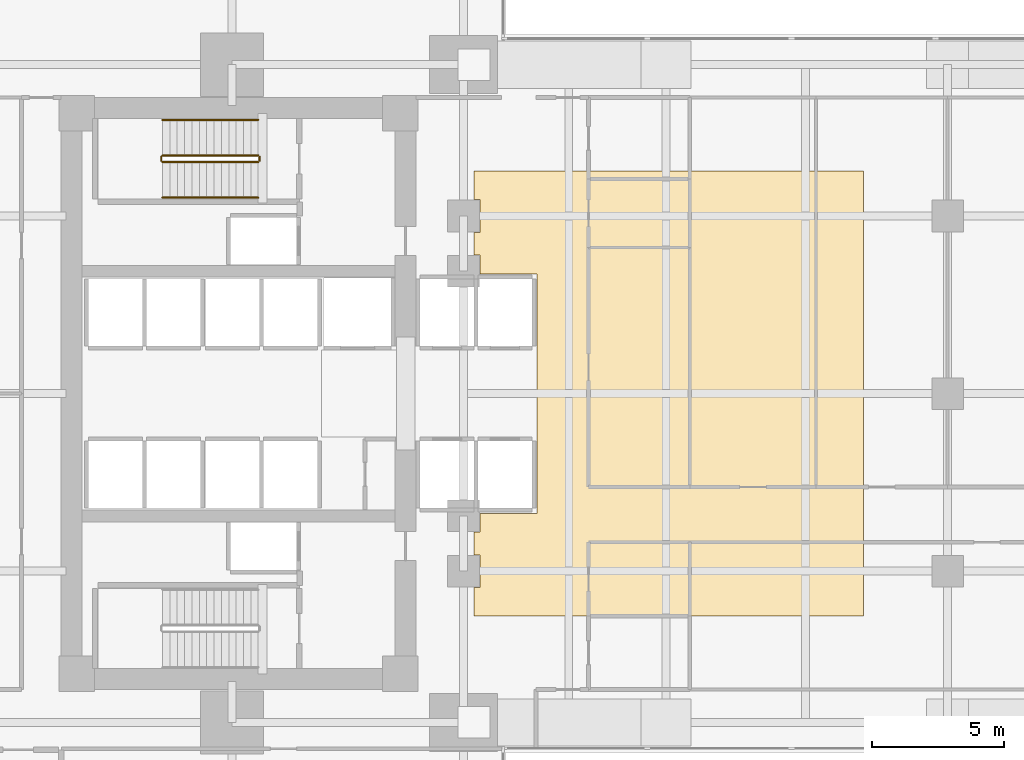
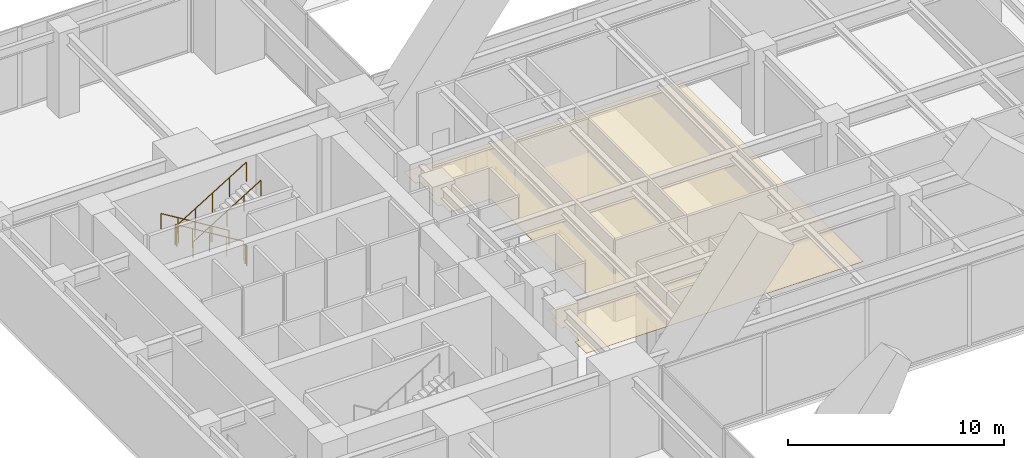
# One storey, part 13 of 13: 6 railings, 1 covering.
"""IFC4 building model written with IfcOpenShell, lengths in metres."""

from ifc_helpers import new_model, si_unit, direction, frame, origin, origin_2d, place, context, subcontext, project, spatial, polyline, circle, outline, extrude, material, layer, layer_set, type_object, element, save


model = new_model("IFC4")

# Units and contexts
model_context = context("Model", 3, precision=1e-05, world=origin(), true_north=direction((0.0, 1.0)))
body_context = subcontext(model_context, "Body", "Model", "MODEL_VIEW")
ifc_project = project(units=[si_unit("LENGTHUNIT", "METRE"), si_unit("AREAUNIT", "SQUARE_METRE"), si_unit("VOLUMEUNIT", "CUBIC_METRE"), si_unit("PLANEANGLEUNIT", "RADIAN"), si_unit("MASSUNIT", "GRAM", prefix="KILO")], contexts=[model_context])

# Site, building, storey
site_placement = place(None, origin())
site = spatial("IfcSite", under=ifc_project, at=site_placement, CompositionType="ELEMENT")
building_placement = place(site_placement, origin())
building = spatial("IfcBuilding", under=site, at=building_placement, Name="Kinhvarn Gate Tower", CompositionType="ELEMENT")
storey_placement = place(building_placement, frame((0.0, 0.0, 6.0)))
storey = spatial("IfcBuildingStorey", under=building, at=storey_placement, Name="L01", CompositionType="ELEMENT", Elevation=6.0)

# Covering
ifc_material_1 = material(Name="Mineral-fibre acoustic ceiling tile")
ifc_layer = layer(ifc_material_1, 0.02001953125)
ifc_layer_set = layer_set([ifc_layer], Name="Mineral-fibre acoustic ceiling tile")
covering_type = type_object("IfcCoveringType", Name="COV-CEIL-20", PredefinedType="CEILING", material=ifc_layer_set)
covering_placement = place(storey_placement, frame((0.0, 0.0, 2.64990234375)))
element("IfcCovering", 1, at=covering_placement, inside=storey, type_object=covering_type, Name="Suspended Acoustic Ceiling Tile (L01-1)", PredefinedType="CEILING", context=body_context, shape_type="SweptSolid", body=[
    extrude(outline(polyline([(35.0, 33.699951171875), (35.0, 16.800048828125), (20.199951171875, 16.800048828125), (20.199951171875, 17.8798828125), (20.419921875, 17.8798828125), (20.419921875, 19.1201171875), (20.199951171875, 19.1201171875), (20.199951171875, 19.97998046875), (20.419921875, 19.97998046875), (20.419921875, 20.699951171875), (22.60009765625, 20.699951171875), (22.60009765625, 29.800048828125), (20.419921875, 29.800048828125), (20.419921875, 30.52001953125), (20.199951171875, 30.52001953125), (20.199951171875, 31.3798828125), (20.419921875, 31.3798828125), (20.419921875, 32.6201171875), (20.199951171875, 32.6201171875), (20.199951171875, 33.699951171875), (35.0, 33.699951171875)])), origin(), (0.0, 0.0, 1.0), 0.02001953125),
])

# Railings
ifc_material_2 = material(Name="Steel S355", Category="steel")
railing_type_1 = type_object("IfcRailingType", Name="RL-ST-GRD", PredefinedType="BALUSTRADE", material=ifc_material_2)
railing_1_placement = place(storey_placement, frame((12.0, 34.300048828125, 0.17138671875)))
element("IfcRailing", 2, at=railing_1_placement, inside=storey, type_object=railing_type_1, Name="L01 ST2 stair guard 1", PredefinedType="BALUSTRADE", context=body_context, shape_type="SweptSolid", body=[
    extrude(circle(Radius=0.02392578125, at=origin_2d()), frame((0.0, 0.0, 1.076171875), z_axis=(-0.852850264322, 0.0, 0.5221555579), x_axis=(0.0, -1.0, 0.0)), (0.0, 0.0, 1.0), 4.267822265625),
    extrude(circle(Radius=0.02099609375, at=origin_2d()), origin(), (0.0, 0.0, 1.0), 1.052001953125),
    extrude(circle(Radius=0.02099609375, at=origin_2d()), frame((-0.909912109375, 0.0, 0.55712890625)), (0.0, 0.0, 1.0), 1.052001953125),
    extrude(circle(Radius=0.02099609375, at=origin_2d()), frame((-1.81982421875, 0.0, 1.1142578125)), (0.0, 0.0, 1.0), 1.052001953125),
    extrude(circle(Radius=0.02099609375, at=origin_2d()), frame((-2.72998046875, 0.0, 1.67138671875)), (0.0, 0.0, 1.0), 1.052001953125),
    extrude(circle(Radius=0.02099609375, at=origin_2d()), frame((-3.639892578125, 0.0, 2.228515625)), (0.0, 0.0, 1.0), 1.052001953125),
])
railing_2_placement = place(storey_placement, frame((8.31005859375, 34.25, 2.39990234375)))
element("IfcRailing", 3, at=railing_2_placement, inside=storey, type_object=railing_type_1, Name="L01 ST2 stair guard 2", PredefinedType="BALUSTRADE", context=body_context, shape_type="SweptSolid", body=[
    extrude(circle(Radius=0.02392578125, at=origin_2d()), frame((0.0, 0.0, 1.076171875), z_axis=(0.0, -1.0, 0.0), x_axis=(1.0, 0.0, 0.0)), (0.0, 0.0, 1.0), 0.14990234375),
    extrude(circle(Radius=0.02099609375, at=origin_2d()), origin(), (0.0, 0.0, 1.0), 1.052001953125),
    extrude(circle(Radius=0.02099609375, at=origin_2d()), frame((0.0, -0.14990234375, 0.0)), (0.0, 0.0, 1.0), 1.052001953125),
])
railing_3_placement = place(storey_placement, frame((8.360107421875, 34.050048828125, 2.571533203125)))
element("IfcRailing", 4, at=railing_3_placement, inside=storey, type_object=railing_type_1, Name="L01 ST2 stair guard 3", PredefinedType="BALUSTRADE", context=body_context, shape_type="SweptSolid", body=[
    extrude(circle(Radius=0.02392578125, at=origin_2d()), frame((0.0, 0.0, 1.076171875), z_axis=(0.852850264322, 0.0, 0.5221555579), x_axis=(0.0, 1.0, 0.0)), (0.0, 0.0, 1.0), 4.267822265625),
    extrude(circle(Radius=0.02099609375, at=origin_2d()), origin(), (0.0, 0.0, 1.0), 1.052001953125),
    extrude(circle(Radius=0.02099609375, at=origin_2d()), frame((0.909912109375, 0.0, 0.55712890625)), (0.0, 0.0, 1.0), 1.052001953125),
    extrude(circle(Radius=0.02099609375, at=origin_2d()), frame((1.81982421875, 0.0, 1.1142578125)), (0.0, 0.0, 1.0), 1.052001953125),
    extrude(circle(Radius=0.02099609375, at=origin_2d()), frame((2.72998046875, 0.0, 1.67138671875)), (0.0, 0.0, 1.0), 1.052001953125),
    extrude(circle(Radius=0.02099609375, at=origin_2d()), frame((3.639892578125, 0.0, 2.228515625)), (0.0, 0.0, 1.0), 1.052001953125),
])
railing_4_placement = place(storey_placement, frame((12.050048828125, 34.25, 0.0)))
element("IfcRailing", 5, at=railing_4_placement, inside=storey, type_object=railing_type_1, Name="L01 ST2 stair guard 4", PredefinedType="BALUSTRADE", context=body_context, shape_type="SweptSolid", body=[
    extrude(circle(Radius=0.02392578125, at=origin_2d()), frame((0.0, 0.0, 1.076171875), z_axis=(0.0, -1.0, 0.0), x_axis=(1.0, 0.0, 0.0)), (0.0, 0.0, 1.0), 0.14990234375),
    extrude(circle(Radius=0.02099609375, at=origin_2d()), origin(), (0.0, 0.0, 1.0), 1.052001953125),
    extrude(circle(Radius=0.02099609375, at=origin_2d()), frame((0.0, -0.14990234375, 0.0)), (0.0, 0.0, 1.0), 1.052001953125),
])
railing_type_2 = type_object("IfcRailingType", Name="RL-ST-HND", PredefinedType="HANDRAIL", material=ifc_material_2)
railing_5_placement = place(storey_placement, frame((12.0, 35.64990234375, 0.17138671875)))
element("IfcRailing", 6, at=railing_5_placement, inside=storey, type_object=railing_type_2, Name="L01 ST2 stair handrail 1", PredefinedType="HANDRAIL", context=body_context, shape_type="SweptSolid", body=[
    extrude(circle(Radius=0.02392578125, at=origin_2d()), frame((0.0, 0.0, 0.8759765625), z_axis=(-0.852850264322, 0.0, 0.5221555579), x_axis=(0.0, -1.0, 0.0)), (0.0, 0.0, 1.0), 4.267822265625),
    extrude(circle(Radius=0.02099609375, at=origin_2d()), origin(), (0.0, 0.0, 1.0), 0.851806640625),
    extrude(circle(Radius=0.02099609375, at=origin_2d()), frame((-0.909912109375, 0.0, 0.55712890625)), (0.0, 0.0, 1.0), 0.851806640625),
    extrude(circle(Radius=0.02099609375, at=origin_2d()), frame((-1.81982421875, 0.0, 1.1142578125)), (0.0, 0.0, 1.0), 0.851806640625),
    extrude(circle(Radius=0.02099609375, at=origin_2d()), frame((-2.72998046875, 0.0, 1.67138671875)), (0.0, 0.0, 1.0), 0.851806640625),
    extrude(circle(Radius=0.02099609375, at=origin_2d()), frame((-3.639892578125, 0.0, 2.228515625)), (0.0, 0.0, 1.0), 0.851806640625),
])
railing_6_placement = place(storey_placement, frame((8.360107421875, 32.699951171875, 2.571533203125)))
element("IfcRailing", 7, at=railing_6_placement, inside=storey, type_object=railing_type_2, Name="L01 ST2 stair handrail 2", PredefinedType="HANDRAIL", context=body_context, shape_type="SweptSolid", body=[
    extrude(circle(Radius=0.02392578125, at=origin_2d()), frame((0.0, 0.0, 0.8759765625), z_axis=(0.852850264322, 0.0, 0.5221555579), x_axis=(0.0, 1.0, 0.0)), (0.0, 0.0, 1.0), 4.267822265625),
    extrude(circle(Radius=0.02099609375, at=origin_2d()), origin(), (0.0, 0.0, 1.0), 0.851806640625),
    extrude(circle(Radius=0.02099609375, at=origin_2d()), frame((0.909912109375, 0.0, 0.55712890625)), (0.0, 0.0, 1.0), 0.851806640625),
    extrude(circle(Radius=0.02099609375, at=origin_2d()), frame((1.81982421875, 0.0, 1.1142578125)), (0.0, 0.0, 1.0), 0.851806640625),
    extrude(circle(Radius=0.02099609375, at=origin_2d()), frame((2.72998046875, 0.0, 1.67138671875)), (0.0, 0.0, 1.0), 0.851806640625),
    extrude(circle(Radius=0.02099609375, at=origin_2d()), frame((3.639892578125, 0.0, 2.228515625)), (0.0, 0.0, 1.0), 0.851806640625),
])

save(model, "model.ifc")
